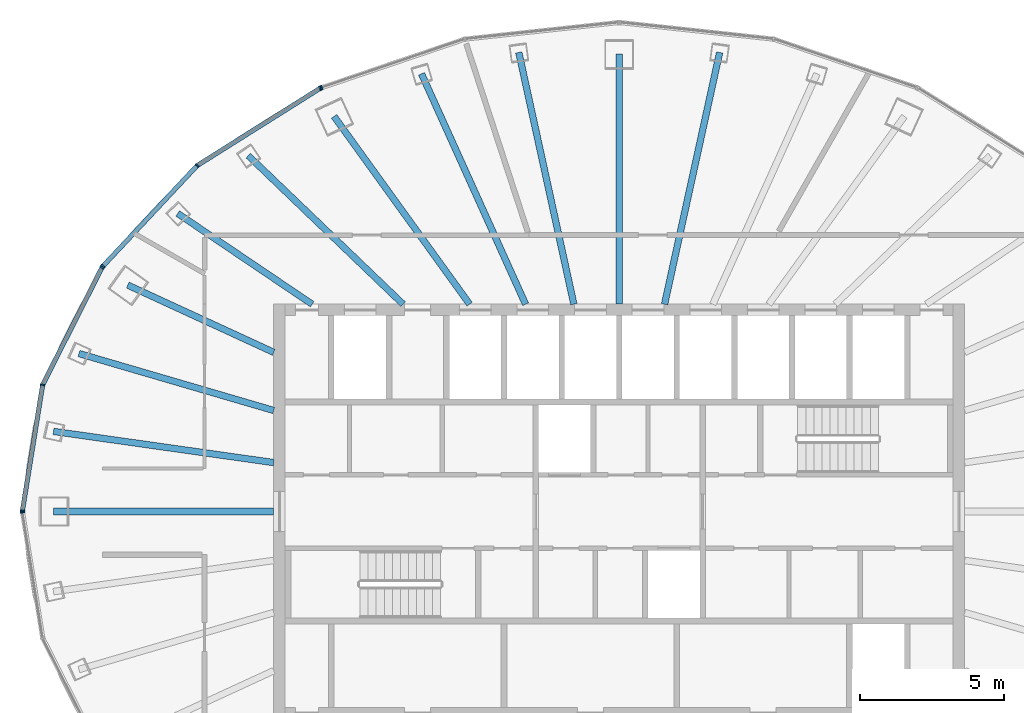
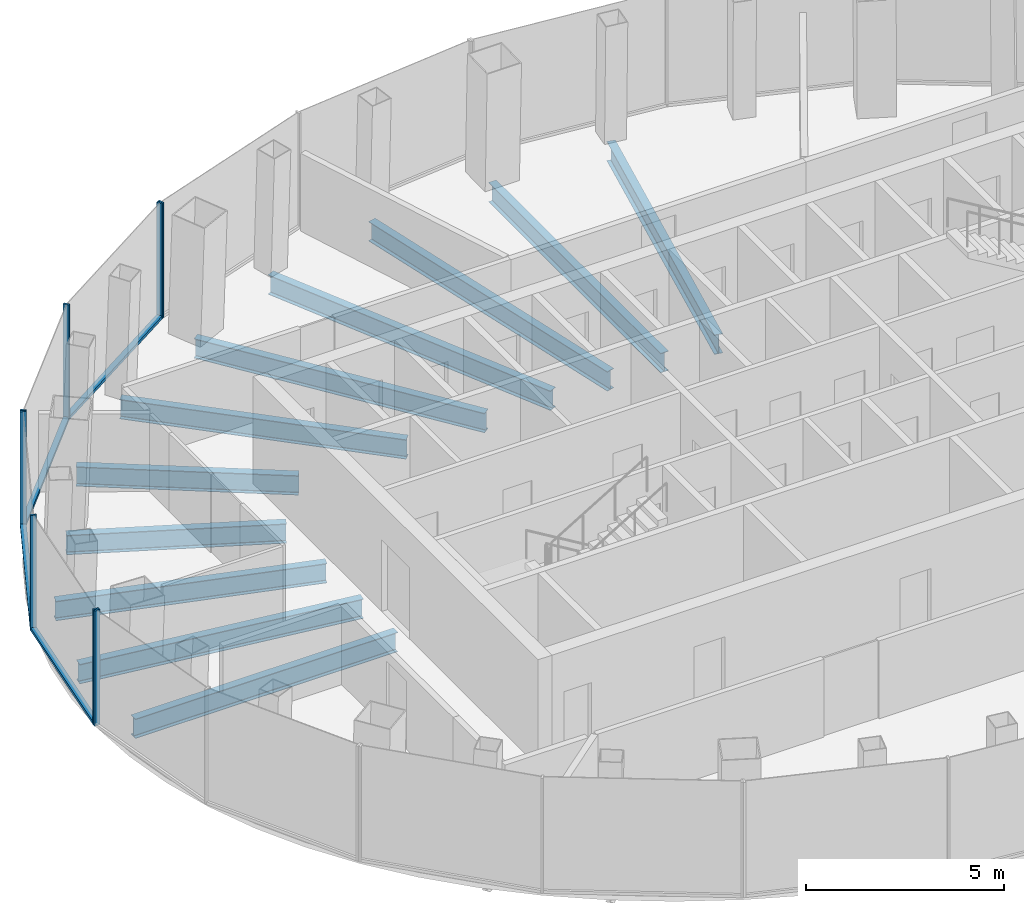
# One storey, part 4 of 11: 12 members, 11 beams, 4 elements without a shape of their own.
"""IFC4 building model written with IfcOpenShell, lengths in metres."""

from ifc_helpers import new_model, si_unit, direction, frame, origin, origin_2d, place, context, subcontext, project, spatial, rectangle, i_section, extrude, material, layer, layer_set, material_profile, profile_set, type_object, element, aggregate, save


model = new_model("IFC4")

# Units and contexts
model_context = context("Model", 3, precision=1e-05, world=origin(), true_north=direction((0.0, 1.0)))
body_context = subcontext(model_context, "Body", "Model", "MODEL_VIEW")
ifc_project = project(units=[si_unit("LENGTHUNIT", "METRE"), si_unit("AREAUNIT", "SQUARE_METRE"), si_unit("VOLUMEUNIT", "CUBIC_METRE"), si_unit("PLANEANGLEUNIT", "RADIAN"), si_unit("MASSUNIT", "GRAM", prefix="KILO")], contexts=[model_context])

# Site, building, storey
site_placement = place(None, origin())
site = spatial("IfcSite", under=ifc_project, at=site_placement, CompositionType="ELEMENT")
building_placement = place(site_placement, origin())
building = spatial("IfcBuilding", under=site, at=building_placement, Name="Siaravel Broadcast Tower", CompositionType="ELEMENT")
storey_placement = place(building_placement, frame((0.0, 0.0, 254.10009765625)))
storey = spatial("IfcBuildingStorey", under=building, at=storey_placement, Name="L62", CompositionType="ELEMENT", Elevation=254.10009765625)

# Beams
ifc_material_1 = material(Name="Steel S355", Category="steel")
ifc_material_profile_1 = material_profile(ifc_material_1, i_section(OverallWidth=0.2275390625, OverallDepth=0.6025390625, WebThickness=0.010498046875, FlangeThickness=0.014892578125, FilletRadius=0.0126953125, at=origin_2d()))
ifc_profile_set_1 = profile_set([ifc_material_profile_1], Name="Steel S355")
beam_type = type_object("IfcBeamType", Name="BM-UB 610x229x101", PredefinedType="BEAM", material=ifc_profile_set_1)
beam_1_placement = place(storey_placement, frame((3.48828125, 15.944580078125, -0.451416015625), z_axis=(-0.213718027, -0.976895391, 0.0), x_axis=(0.976895391, -0.213718027, 0.0)))
element("IfcBeam", 1, at=beam_1_placement, inside=storey, type_object=beam_type, Name="Radial beam RB09", PredefinedType="BEAM", context=body_context, shape_type="SweptSolid", body=[
    extrude(i_section(OverallWidth=0.2275390625, OverallDepth=0.6025390625, WebThickness=0.010498046875, FlangeThickness=0.014892578125, FilletRadius=0.0126953125, at=origin_2d()), origin(), (0.0, 0.0, 1.0), 8.951416015625),
])
beam_2_placement = place(storey_placement, frame((0.0, 15.894775390625, -0.451416015625), z_axis=(0.0, -1.0, 0.0), x_axis=(1.0, 0.0, 0.0)))
element("IfcBeam", 2, at=beam_2_placement, inside=storey, type_object=beam_type, Name="Radial beam RB10", PredefinedType="BEAM", context=body_context, shape_type="SweptSolid", body=[
    extrude(i_section(OverallWidth=0.2275390625, OverallDepth=0.6025390625, WebThickness=0.010498046875, FlangeThickness=0.014892578125, FilletRadius=0.0126953125, at=origin_2d()), origin(), (0.0, 0.0, 1.0), 8.69482421875),
])
beam_3_placement = place(storey_placement, frame((-3.48828125, 15.944580078125, -0.451416015625), z_axis=(0.213718027, -0.976895391, 0.0), x_axis=(0.976895391, 0.213718027, 0.0)))
element("IfcBeam", 3, at=beam_3_placement, inside=storey, type_object=beam_type, Name="Radial beam RB11", PredefinedType="BEAM", context=body_context, shape_type="SweptSolid", body=[
    extrude(i_section(OverallWidth=0.2275390625, OverallDepth=0.6025390625, WebThickness=0.010498046875, FlangeThickness=0.014892578125, FilletRadius=0.0126953125, at=origin_2d()), origin(), (0.0, 0.0, 1.0), 8.951416015625),
])
beam_4_placement = place(storey_placement, frame((-6.86767578125, 15.203125, -0.451416015625), z_axis=(0.411671636, -0.911332247, 0.0), x_axis=(0.911332247, 0.411671636, 0.0)))
element("IfcBeam", 4, at=beam_4_placement, inside=storey, type_object=beam_type, Name="Radial beam RB12", PredefinedType="BEAM", context=body_context, shape_type="SweptSolid", body=[
    extrude(i_section(OverallWidth=0.2275390625, OverallDepth=0.6025390625, WebThickness=0.010498046875, FlangeThickness=0.014892578125, FilletRadius=0.0126953125, at=origin_2d()), origin(), (0.0, 0.0, 1.0), 8.78173828125),
])
beam_5_placement = place(storey_placement, frame((-9.903564453125, 13.723388671875, -0.451416015625), z_axis=(0.585195779, -0.81089204, 0.0), x_axis=(0.81089204, 0.585195779, 0.0)))
element("IfcBeam", 5, at=beam_5_placement, inside=storey, type_object=beam_type, Name="Radial beam RB13", PredefinedType="BEAM", context=body_context, shape_type="SweptSolid", body=[
    extrude(i_section(OverallWidth=0.2275390625, OverallDepth=0.6025390625, WebThickness=0.010498046875, FlangeThickness=0.014892578125, FilletRadius=0.0126953125, at=origin_2d()), origin(), (0.0, 0.0, 1.0), 8.044677734375),
])
beam_6_placement = place(storey_placement, frame((-12.88330078125, 12.359375, -0.451416015625), z_axis=(0.72163014, -0.692278803, 0.0), x_axis=(0.692278803, 0.72163014, 0.0)))
element("IfcBeam", 6, at=beam_6_placement, inside=storey, type_object=beam_type, Name="Radial beam RB14", PredefinedType="BEAM", context=body_context, shape_type="SweptSolid", body=[
    extrude(i_section(OverallWidth=0.2275390625, OverallDepth=0.6025390625, WebThickness=0.010498046875, FlangeThickness=0.014892578125, FilletRadius=0.0126953125, at=origin_2d()), origin(), (0.0, 0.0, 1.0), 7.452880859375),
])
beam_7_placement = place(storey_placement, frame((-15.334716796875, 10.3515625, -0.451416015625), z_axis=(0.828829078, -0.559501886, 0.0), x_axis=(0.559501886, 0.828829078, 0.0)))
element("IfcBeam", 7, at=beam_7_placement, inside=storey, type_object=beam_type, Name="Radial beam RB15", PredefinedType="BEAM", context=body_context, shape_type="SweptSolid", body=[
    extrude(i_section(OverallWidth=0.2275390625, OverallDepth=0.6025390625, WebThickness=0.010498046875, FlangeThickness=0.014892578125, FilletRadius=0.0126953125, at=origin_2d()), origin(), (0.0, 0.0, 1.0), 5.6328125),
])
beam_8_placement = place(storey_placement, frame((-17.06884765625, 7.863525390625, -0.451416015625), z_axis=(0.908249809, -0.418428351, 0.0), x_axis=(0.418428351, 0.908249809, 0.0)))
element("IfcBeam", 8, at=beam_8_placement, inside=storey, type_object=beam_type, Name="Radial beam RB16", PredefinedType="BEAM", context=body_context, shape_type="SweptSolid", body=[
    extrude(i_section(OverallWidth=0.2275390625, OverallDepth=0.6025390625, WebThickness=0.010498046875, FlangeThickness=0.014892578125, FilletRadius=0.0126953125, at=origin_2d()), origin(), (0.0, 0.0, 1.0), 5.580810546875),
])
beam_9_placement = place(storey_placement, frame((-18.765380859375, 5.48779296875, -0.451416015625), z_axis=(0.95979842, -0.280690209, 0.0), x_axis=(0.280690209, 0.95979842, 0.0)))
element("IfcBeam", 9, at=beam_9_placement, inside=storey, type_object=beam_type, Name="Radial beam RB17", PredefinedType="BEAM", context=body_context, shape_type="SweptSolid", body=[
    extrude(i_section(OverallWidth=0.2275390625, OverallDepth=0.6025390625, WebThickness=0.010498046875, FlangeThickness=0.014892578125, FilletRadius=0.0126953125, at=origin_2d()), origin(), (0.0, 0.0, 1.0), 7.048828125),
])
beam_10_placement = place(storey_placement, frame((-19.650390625, 2.78271484375, -0.451416015625), z_axis=(0.990119396, -0.140226892, 0.0), x_axis=(0.140226892, 0.990119396, 0.0)))
element("IfcBeam", 10, at=beam_10_placement, inside=storey, type_object=beam_type, Name="Radial beam RB18", PredefinedType="BEAM", context=body_context, shape_type="SweptSolid", body=[
    extrude(i_section(OverallWidth=0.2275390625, OverallDepth=0.6025390625, WebThickness=0.010498046875, FlangeThickness=0.014892578125, FilletRadius=0.0126953125, at=origin_2d()), origin(), (0.0, 0.0, 1.0), 7.726806640625),
])
beam_11_placement = place(storey_placement, frame((-19.647705078125, 0.0, -0.451416015625), z_axis=(1.0, 0.0, 0.0), x_axis=(0.0, 1.0, 0.0)))
element("IfcBeam", 11, at=beam_11_placement, inside=storey, type_object=beam_type, Name="Radial beam RB19", PredefinedType="BEAM", context=body_context, shape_type="SweptSolid", body=[
    extrude(i_section(OverallWidth=0.2275390625, OverallDepth=0.6025390625, WebThickness=0.010498046875, FlangeThickness=0.014892578125, FilletRadius=0.0126953125, at=origin_2d()), origin(), (0.0, 0.0, 1.0), 7.647705078125),
])

# Curtain wall, member
ifc_material_2 = material(Name="Aluminium 6063-T6", Category="aluminium")
ifc_layer = layer(ifc_material_2, 0.159912109375)
ifc_layer_set = layer_set([ifc_layer], Name="Aluminium 6063-T6")
curtain_wall_type = type_object("IfcCurtainWallType", Name="Unitised curtain wall, zone 4", PredefinedType="NOTDEFINED", material=ifc_layer_set)
curtain_wall_1_placement = place(storey_placement, origin())
curtain_wall_1 = element("IfcCurtainWall", 12, at=curtain_wall_1_placement, inside=storey, type_object=curtain_wall_type, Name="L62 Unitised curtain wall, zone 4 04", PredefinedType="NOTDEFINED")
ifc_material_profile_2 = material_profile(ifc_material_2, rectangle(XDim=0.159912109375, YDim=0.054931640625, at=origin_2d()))
ifc_profile_set_2 = profile_set([ifc_material_profile_2], Name="Aluminium 6063-T6")
member_type_1 = type_object("IfcMemberType", Name="CW-Z4 mullion", PredefinedType="MULLION", material=ifc_profile_set_2)
member_1_placement = place(storey_placement, frame((-10.337158203125, 14.726318359375, 0.0), z_axis=(0.0, 0.0, 1.0), x_axis=(0.321301584, -0.946976923, 0.0)))
member_1 = element("IfcMember", 13, at=member_1_placement, type_object=member_type_1, Name="CW-Z4 mullion 3", PredefinedType="MULLION", context=body_context, shape_type="SweptSolid", body=[
    extrude(rectangle(XDim=0.159912109375, YDim=0.054931640625, at=origin_2d()), origin(), (0.0, 0.0, 1.0), 3.5498046875),
])
aggregate(curtain_wall_1, [member_1])

# Curtain wall, members
curtain_wall_2_placement = place(storey_placement, origin())
curtain_wall_2 = element("IfcCurtainWall", 14, at=curtain_wall_2_placement, inside=storey, type_object=curtain_wall_type, Name="L62 Unitised curtain wall, zone 4 05", PredefinedType="NOTDEFINED")
member_2_placement = place(storey_placement, frame((-10.386474609375, 14.702880859375, 0.0), z_axis=(0.0, 0.0, 1.0), x_axis=(0.532150638, -0.84664969, 0.0)))
member_2 = element("IfcMember", 15, at=member_2_placement, type_object=member_type_1, Name="CW-Z4 mullion 1", PredefinedType="MULLION", context=body_context, shape_type="SweptSolid", body=[
    extrude(rectangle(XDim=0.159912109375, YDim=0.054931640625, at=origin_2d()), origin(), (0.0, 0.0, 1.0), 3.5498046875),
])
member_3_placement = place(storey_placement, frame((-14.6572265625, 12.0185546875, 0.0), z_axis=(0.0, 0.0, 1.0), x_axis=(0.636220107, -0.771507599, 0.0)))
member_3 = element("IfcMember", 16, at=member_3_placement, type_object=member_type_1, Name="CW-Z4 mullion 2", PredefinedType="MULLION", context=body_context, shape_type="SweptSolid", body=[
    extrude(rectangle(XDim=0.159912109375, YDim=0.054931640625, at=origin_2d()), origin(), (0.0, 0.0, 1.0), 3.5498046875),
])
member_4_placement = place(storey_placement, frame((-17.9345703125, 8.52001953125, 0.0), z_axis=(0.0, 0.0, 1.0), x_axis=(0.729806711, -0.683653541, 0.0)))
member_4 = element("IfcMember", 17, at=member_4_placement, type_object=member_type_1, Name="CW-Z4 mullion 3", PredefinedType="MULLION", context=body_context, shape_type="SweptSolid", body=[
    extrude(rectangle(XDim=0.159912109375, YDim=0.054931640625, at=origin_2d()), origin(), (0.0, 0.0, 1.0), 3.5498046875),
])

curtain_wall_3_placement = place(storey_placement, origin())
curtain_wall_3 = element("IfcCurtainWall", 18, at=curtain_wall_3_placement, inside=storey, type_object=curtain_wall_type, Name="L62 Unitised curtain wall, zone 4 06", PredefinedType="NOTDEFINED")
member_5_placement = place(storey_placement, frame((-17.9658203125, 8.475341796875, 0.0), z_axis=(0.0, 0.0, 1.0), x_axis=(0.892393007, -0.45125904, 0.0)))
member_5 = element("IfcMember", 19, at=member_5_placement, type_object=member_type_1, Name="CW-Z4 mullion 1", PredefinedType="MULLION", context=body_context, shape_type="SweptSolid", body=[
    extrude(rectangle(XDim=0.159912109375, YDim=0.054931640625, at=origin_2d()), origin(), (0.0, 0.0, 1.0), 3.5498046875),
])
member_6_placement = place(storey_placement, frame((-20.0263671875, 4.400390625, 0.0), z_axis=(0.0, 0.0, 1.0), x_axis=(0.951177667, -0.30864388, 0.0)))
member_6 = element("IfcMember", 20, at=member_6_placement, type_object=member_type_1, Name="CW-Z4 mullion 2", PredefinedType="MULLION", context=body_context, shape_type="SweptSolid", body=[
    extrude(rectangle(XDim=0.159912109375, YDim=0.054931640625, at=origin_2d()), origin(), (0.0, 0.0, 1.0), 3.5498046875),
])
member_7_placement = place(storey_placement, frame((-20.729248046875, 0.027099609375, 0.0), z_axis=(0.0, 0.0, 1.0), x_axis=(0.987329322, -0.158684626, 0.0)))
member_7 = element("IfcMember", 21, at=member_7_placement, type_object=member_type_1, Name="CW-Z4 mullion 3", PredefinedType="MULLION", context=body_context, shape_type="SweptSolid", body=[
    extrude(rectangle(XDim=0.159912109375, YDim=0.054931640625, at=origin_2d()), origin(), (0.0, 0.0, 1.0), 3.5498046875),
])

# Curtain wall, member
curtain_wall_4_placement = place(storey_placement, origin())
curtain_wall_4 = element("IfcCurtainWall", 22, at=curtain_wall_4_placement, inside=storey, type_object=curtain_wall_type, Name="L62 Unitised curtain wall, zone 4 07", PredefinedType="NOTDEFINED")
member_8_placement = place(storey_placement, frame((-20.729248046875, -0.027099609375, 0.0), z_axis=(0.0, 0.0, 1.0), x_axis=(0.987329322, 0.158684626, 0.0)))
member_8 = element("IfcMember", 23, at=member_8_placement, type_object=member_type_1, Name="CW-Z4 mullion 1", PredefinedType="MULLION", context=body_context, shape_type="SweptSolid", body=[
    extrude(rectangle(XDim=0.159912109375, YDim=0.054931640625, at=origin_2d()), origin(), (0.0, 0.0, 1.0), 3.5498046875),
])
aggregate(curtain_wall_4, [member_8])

# Member
ifc_material_profile_3 = material_profile(ifc_material_2, rectangle(XDim=0.159912109375, YDim=0.090087890625, at=origin_2d()))
ifc_profile_set_3 = profile_set([ifc_material_profile_3], Name="Aluminium 6063-T6")
member_type_2 = type_object("IfcMemberType", Name="CW-Z4 transom", PredefinedType="USERDEFINED", material=ifc_profile_set_3)
member_9_placement = place(storey_placement, frame((-10.40966796875, 14.688232421875, 0.044921875), z_axis=(-0.846648518, -0.532152504, 0.0), x_axis=(0.532152504, -0.846648518, 0.0)))
member_9 = element("IfcMember", 24, at=member_9_placement, type_object=member_type_2, Name="CW-Z4 transom 1", ObjectType="TRANSOM", PredefinedType="USERDEFINED", context=body_context, shape_type="SweptSolid", body=[
    extrude(rectangle(XDim=0.159912109375, YDim=0.090087890625, at=origin_2d()), origin(), (0.0, 0.0, 1.0), 4.9892578125),
])

member_10_placement = place(storey_placement, frame((-14.676025390625, 11.99853515625, 0.044921875), z_axis=(-0.683649743, -0.729810269, 0.0), x_axis=(0.729810269, -0.683649743, 0.0)))
member_10 = element("IfcMember", 25, at=member_10_placement, type_object=member_type_2, Name="CW-Z4 transom 2", ObjectType="TRANSOM", PredefinedType="USERDEFINED", context=body_context, shape_type="SweptSolid", body=[
    extrude(rectangle(XDim=0.159912109375, YDim=0.090087890625, at=origin_2d()), origin(), (0.0, 0.0, 1.0), 4.739013671875),
])

aggregate(curtain_wall_2, [member_2, member_3, member_4, member_9, member_10])

member_11_placement = place(storey_placement, frame((-17.978271484375, 8.45068359375, 0.044921875), z_axis=(-0.451257233, -0.892393921, 0.0), x_axis=(0.892393921, -0.451257233, 0.0)))
member_11 = element("IfcMember", 26, at=member_11_placement, type_object=member_type_2, Name="CW-Z4 transom 1", ObjectType="TRANSOM", PredefinedType="USERDEFINED", context=body_context, shape_type="SweptSolid", body=[
    extrude(rectangle(XDim=0.159912109375, YDim=0.090087890625, at=origin_2d()), origin(), (0.0, 0.0, 1.0), 4.510986328125),
])

member_12_placement = place(storey_placement, frame((-20.03076171875, 4.373291015625, 0.044921875), z_axis=(-0.158667409, -0.987332089, 0.0), x_axis=(0.987332089, -0.158667409, 0.0)))
member_12 = element("IfcMember", 27, at=member_12_placement, type_object=member_type_2, Name="CW-Z4 transom 2", ObjectType="TRANSOM", PredefinedType="USERDEFINED", context=body_context, shape_type="SweptSolid", body=[
    extrude(rectangle(XDim=0.159912109375, YDim=0.090087890625, at=origin_2d()), origin(), (0.0, 0.0, 1.0), 4.37451171875),
])

aggregate(curtain_wall_3, [member_5, member_6, member_7, member_11, member_12])

save(model, "model.ifc")
